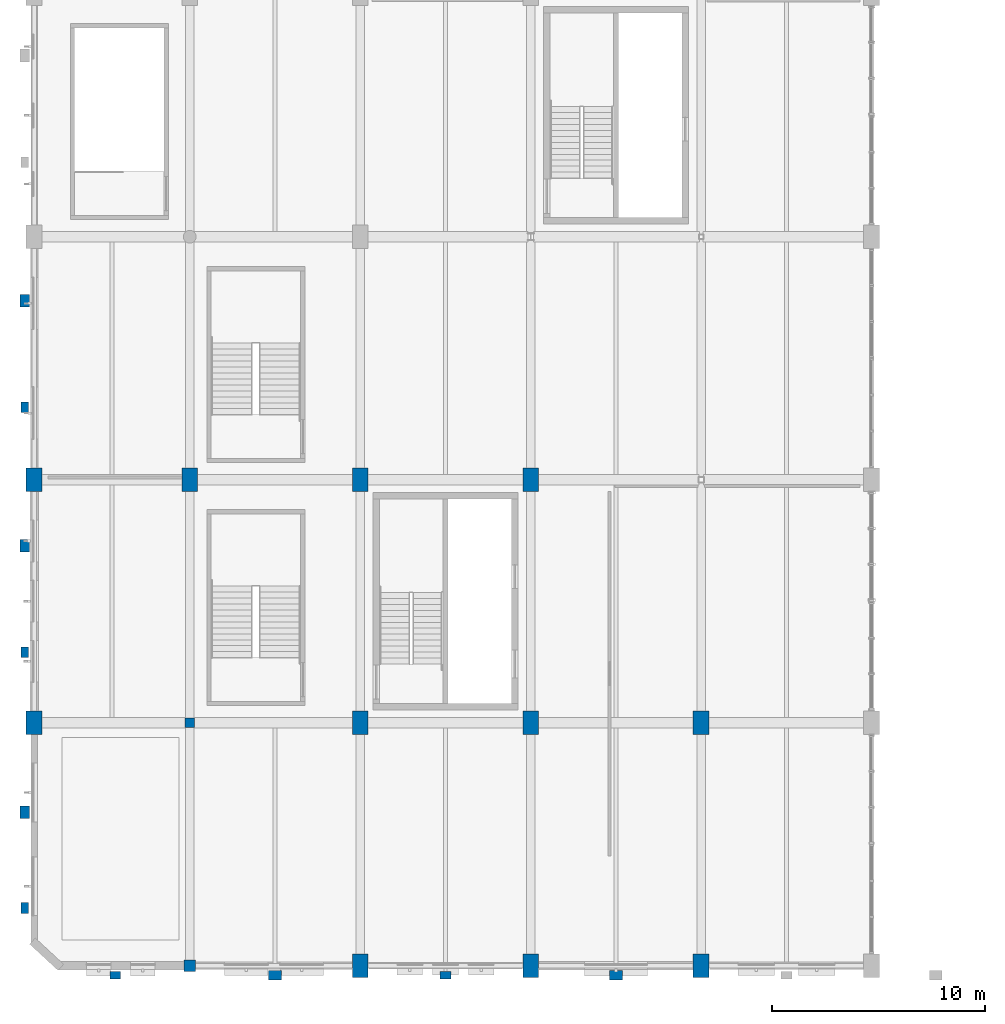
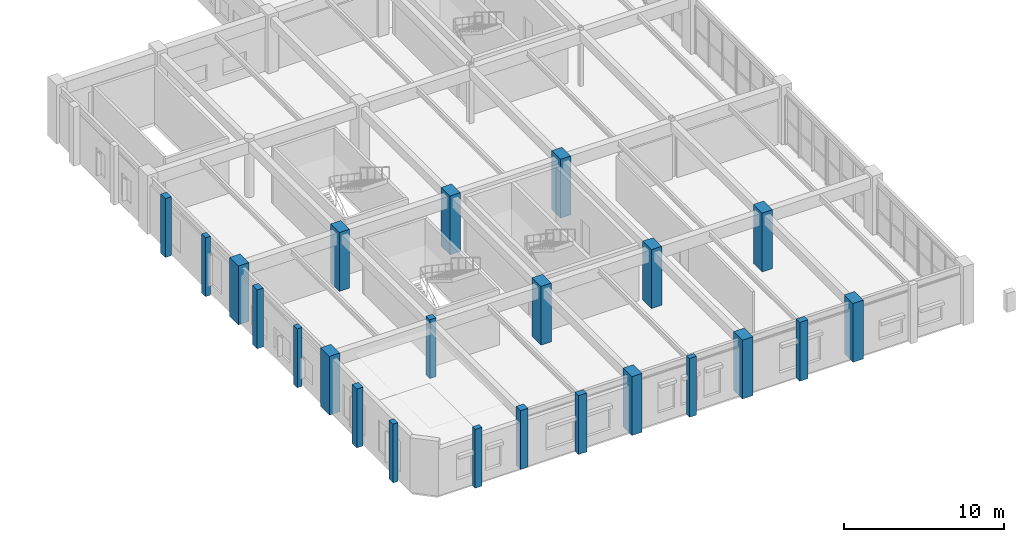
# One storey, part 1 of 80: 23 columns.
"""IFC4 building model written with IfcOpenShell, lengths in metres."""

from ifc_helpers import new_model, si_unit, direction, frame, origin, origin_2d, place, context, subcontext, project, spatial, rectangle, extrude, material, material_profile, profile_set, type_object, element, save


model = new_model("IFC4")

# Units and contexts
model_context = context("Model", 3, precision=1e-05, world=origin(), true_north=direction((0.0, 1.0)))
body_context = subcontext(model_context, "Body", "Model", "MODEL_VIEW")
ifc_project = project(units=[si_unit("LENGTHUNIT", "METRE"), si_unit("AREAUNIT", "SQUARE_METRE"), si_unit("VOLUMEUNIT", "CUBIC_METRE"), si_unit("PLANEANGLEUNIT", "RADIAN"), si_unit("MASSUNIT", "GRAM", prefix="KILO"), si_unit("POWERUNIT", "WATT"), si_unit("THERMODYNAMICTEMPERATUREUNIT", "KELVIN")], contexts=[model_context])

# Site, building, storey
site_placement = place(None, origin())
site = spatial("IfcSite", under=ifc_project, at=site_placement, CompositionType="ELEMENT")
building_placement = place(site_placement, origin())
building = spatial("IfcBuilding", under=site, at=building_placement, Name="Kelmbourne Parkland Aquatics Centre", CompositionType="ELEMENT")
storey_placement = place(building_placement, frame((0.0, 0.0, 10.199951171875)))
storey = spatial("IfcBuildingStorey", under=building, at=storey_placement, Name="L02", CompositionType="ELEMENT", Elevation=10.199951171875)

# Columns
ifc_material_1 = material(Name="Concrete C40/50", Category="concrete")
ifc_material_profile_1 = material_profile(ifc_material_1, rectangle(XDim=0.75, YDim=1.10009765625, at=origin_2d()), Name="RC 750x1100")
ifc_profile_set_1 = profile_set([ifc_material_profile_1], Name="Concrete C40/50")
column_type_1 = type_object("IfcColumnType", Name="COL-C03", PredefinedType="COLUMN", material=ifc_profile_set_1)
for number, where, z_axis, x_axis, name in (
    (1, (0.699951171875, 12.199951171875, 0.0), (0.0, 0.0, 1.0), (1.0, 0.0, 0.0), "Structural column A-03 (L02)"),
    (2, (0.699951171875, 23.60009765625, 0.0), (0.0, 0.0, 1.0), (1.0, 0.0, 0.0), "Structural column A-04 (L02)"),
    (3, (8.0, 23.60009765625, 0.0), (0.0, 0.0, 1.0), (1.0, 0.0, 0.0), "Structural column B-04 (L02)"),
    (4, (16.0, 0.800048828125, 0.0), (0.0, 0.0, 1.0), (1.0, 0.0, 0.0), "Structural column C-01 (L02)"),
    (5, (16.0, 12.199951171875, 0.0), (0.0, 0.0, 1.0), (1.0, 0.0, 0.0), "Structural column C-03 (L02)"),
    (6, (16.0, 23.60009765625, 0.0), (0.0, 0.0, 1.0), (1.0, 0.0, 0.0), "Structural column C-04 (L02)"),
    (7, (24.0, 0.800048828125, 0.0), (0.0, 0.0, 1.0), (1.0, 0.0, 0.0), "Structural column D-01 (L02)"),
    (8, (24.0, 12.199951171875, 0.0), (0.0, 0.0, 1.0), (1.0, 0.0, 0.0), "Structural column D-03 (L02)"),
    (9, (24.0, 23.60009765625, 0.0), (0.0, 0.0, 1.0), (1.0, 0.0, 0.0), "Structural column D-04 (L02)"),
    (10, (32.0, 0.800048828125, 0.0), (0.0, 0.0, 1.0), (1.0, 0.0, 0.0), "Structural column E-01 (L02)"),
    (11, (32.0, 12.199951171875, 0.0), (0.0, 0.0, 1.0), (1.0, 0.0, 0.0), "Structural column E-03 (L02)"),
):
    element("IfcColumn", number, at=place(storey_placement, frame(where, z_axis=z_axis, x_axis=x_axis)), inside=storey, type_object=column_type_1, Name=name, PredefinedType="COLUMN", context=body_context, shape_type="SweptSolid", body=[
        extrude(rectangle(XDim=0.75, YDim=1.10009765625, at=origin_2d()), origin(), (0.0, 0.0, 1.0), 4.5),
    ])
ifc_material_profile_2 = material_profile(ifc_material_1, rectangle(XDim=0.550048828125, YDim=0.550048828125, at=origin_2d()), Name="RC 550x550")
ifc_profile_set_2 = profile_set([ifc_material_profile_2], Name="Concrete C40/50")
column_type_2 = type_object("IfcColumnType", Name="COL-C07", PredefinedType="COLUMN", material=ifc_profile_set_2)
column_1_placement = place(storey_placement, frame((8.0, 0.800048828125, 0.0), z_axis=(0.0, 0.0, 1.0), x_axis=(1.0, 0.0, 0.0)))
element("IfcColumn", 12, at=column_1_placement, inside=storey, type_object=column_type_2, Name="Structural column B-01 (L02)", PredefinedType="COLUMN", context=body_context, shape_type="SweptSolid", body=[
    extrude(rectangle(XDim=0.550048828125, YDim=0.550048828125, at=origin_2d()), origin(), (0.0, 0.0, 1.0), 4.5),
])
ifc_material_profile_3 = material_profile(ifc_material_1, rectangle(XDim=0.449951171875, YDim=0.449951171875, at=origin_2d()), Name="RC 450x450")
ifc_profile_set_3 = profile_set([ifc_material_profile_3], Name="Concrete C40/50")
column_type_3 = type_object("IfcColumnType", Name="COL-C08", PredefinedType="COLUMN", material=ifc_profile_set_3)
column_2_placement = place(storey_placement, frame((8.0, 12.199951171875, 0.0), z_axis=(0.0, 0.0, 1.0), x_axis=(1.0, 0.0, 0.0)))
element("IfcColumn", 13, at=column_2_placement, inside=storey, type_object=column_type_3, Name="Structural column B-03 (L02)", PredefinedType="COLUMN", context=body_context, shape_type="SweptSolid", body=[
    extrude(rectangle(XDim=0.449951171875, YDim=0.449951171875, at=origin_2d()), origin(), (0.0, 0.0, 1.0), 4.5),
])
ifc_material_2 = material(Name="Clay brick masonry AS 3700 M12", Category="masonry")
ifc_material_profile_4 = material_profile(ifc_material_2, rectangle(XDim=0.35009765625, YDim=0.5, at=origin_2d()), Name="PIL 350x500")
ifc_profile_set_4 = profile_set([ifc_material_profile_4], Name="Clay brick masonry AS 3700 M12")
column_type_4 = type_object("IfcColumnType", Name="PIL-PL1", PredefinedType="PILASTER", material=ifc_profile_set_4)
for number, where, z_axis, x_axis, name in (
    (14, (0.260009765625, 3.5, 0.0), (0.0, 0.0, 1.0), (1.0, 0.0, 0.0), "Amsterdam School engaged brick buttress W-001 (L02)"),
    (15, (0.260009765625, 15.5, 0.0), (0.0, 0.0, 1.0), (1.0, 0.0, 0.0), "Amsterdam School engaged brick buttress W-003 (L02)"),
    (16, (0.260009765625, 27.0, 0.0), (0.0, 0.0, 1.0), (1.0, 0.0, 0.0), "Amsterdam School engaged brick buttress W-005 (L02)"),
    (17, (4.5, 0.35009765625, 0.0), (0.0, 0.0, 1.0), (0.0, 1.0, 0.0), "Amsterdam School engaged brick buttress S-019 (L02)"),
    (18, (20.0, 0.35009765625, 0.0), (0.0, 0.0, 1.0), (0.0, 1.0, 0.0), "Amsterdam School engaged brick buttress S-021 (L02)"),
):
    element("IfcColumn", number, at=place(storey_placement, frame(where, z_axis=z_axis, x_axis=x_axis)), inside=storey, type_object=column_type_4, Name=name, PredefinedType="PILASTER", context=body_context, shape_type="SweptSolid", body=[
        extrude(rectangle(XDim=0.35009765625, YDim=0.5, at=origin_2d()), origin(), (0.0, 0.0, 1.0), 4.5),
    ])
ifc_material_profile_5 = material_profile(ifc_material_2, rectangle(XDim=0.449951171875, YDim=0.60009765625, at=origin_2d()), Name="PIL 450x600")
ifc_profile_set_5 = profile_set([ifc_material_profile_5], Name="Clay brick masonry AS 3700 M12")
column_type_5 = type_object("IfcColumnType", Name="PIL-PL2", PredefinedType="PILASTER", material=ifc_profile_set_5)
for number, where, z_axis, x_axis, name in (
    (19, (0.260009765625, 8.0, 0.0), (0.0, 0.0, 1.0), (1.0, 0.0, 0.0), "Amsterdam School engaged brick buttress W-002 (L02)"),
    (20, (0.260009765625, 20.5, 0.0), (0.0, 0.0, 1.0), (1.0, 0.0, 0.0), "Amsterdam School engaged brick buttress W-004 (L02)"),
    (21, (0.260009765625, 32.0, 0.0), (0.0, 0.0, 1.0), (1.0, 0.0, 0.0), "Amsterdam School engaged brick buttress W-006 (L02)"),
    (22, (12.0, 0.35009765625, 0.0), (0.0, 0.0, 1.0), (0.0, 1.0, 0.0), "Amsterdam School engaged brick buttress S-020 (L02)"),
    (23, (28.0, 0.35009765625, 0.0), (0.0, 0.0, 1.0), (0.0, 1.0, 0.0), "Amsterdam School engaged brick buttress S-022 (L02)"),
):
    element("IfcColumn", number, at=place(storey_placement, frame(where, z_axis=z_axis, x_axis=x_axis)), inside=storey, type_object=column_type_5, Name=name, PredefinedType="PILASTER", context=body_context, shape_type="SweptSolid", body=[
        extrude(rectangle(XDim=0.449951171875, YDim=0.60009765625, at=origin_2d()), origin(), (0.0, 0.0, 1.0), 4.5),
    ])

save(model, "model.ifc")
